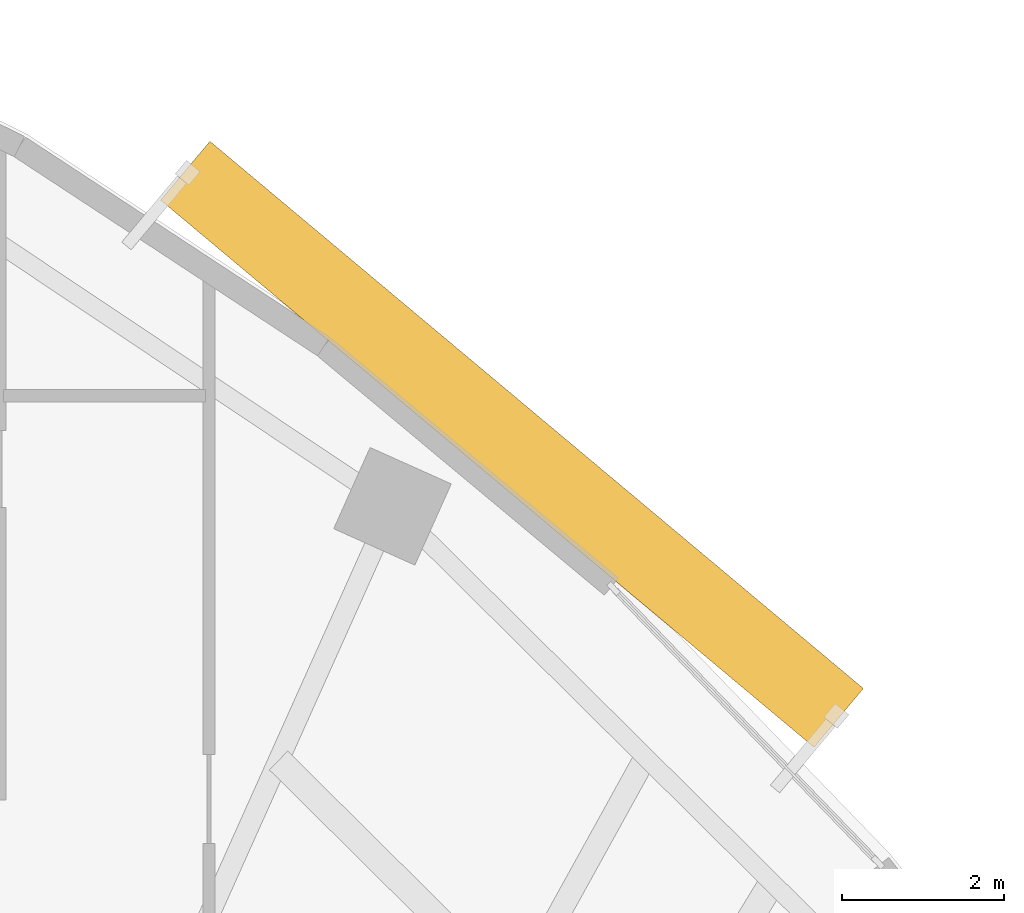
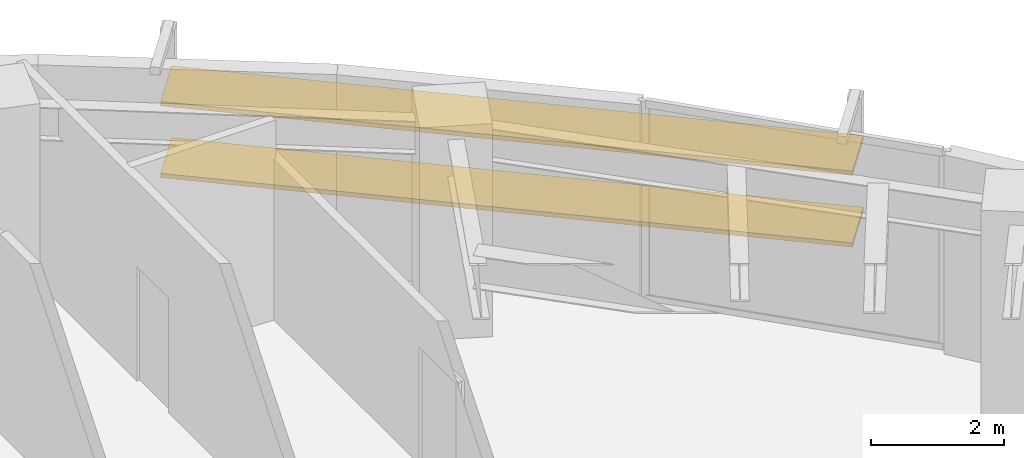
# One storey, part 13 of 13: 2 shading devices.
"""IFC4 building model written with IfcOpenShell, lengths in metres."""

from ifc_helpers import new_model, si_unit, direction, frame, origin, origin_2d, place, context, subcontext, project, spatial, rectangle, extrude, source, transform, mapped, material, material_profile, profile_set, type_object, element, save


model = new_model("IFC4")

# Units and contexts
model_context = context("Model", 3, precision=1e-05, world=origin(), true_north=direction((0.0, 1.0)))
body_context = subcontext(model_context, "Body", "Model", "MODEL_VIEW")
ifc_project = project(units=[si_unit("LENGTHUNIT", "METRE"), si_unit("AREAUNIT", "SQUARE_METRE"), si_unit("VOLUMEUNIT", "CUBIC_METRE"), si_unit("PLANEANGLEUNIT", "RADIAN"), si_unit("MASSUNIT", "GRAM", prefix="KILO")], contexts=[model_context])

# Site, building, storey
site_placement = place(None, origin())
site = spatial("IfcSite", under=ifc_project, at=site_placement, CompositionType="ELEMENT")
building_placement = place(site_placement, origin())
building = spatial("IfcBuilding", under=site, at=building_placement, Name="Breltana Convention Tower", CompositionType="ELEMENT")
storey_placement = place(building_placement, frame((0.0, 0.0, 142.800048828125)))
storey = spatial("IfcBuildingStorey", under=building, at=storey_placement, Name="L34", CompositionType="ELEMENT", Elevation=142.800048828125)

# Shading devices
ifc_material = material(Name="Limestone Warm Buff Honed", Category="masonry")
ifc_material_profile = material_profile(ifc_material, rectangle(XDim=0.949951171875, YDim=0.080078125, at=origin_2d()), Name="STN-LVR-950X80")
ifc_profile_set = profile_set([ifc_material_profile], Name="Limestone Warm Buff Honed")
shading_device_type = type_object("IfcShadingDeviceType", Name="SHD-OUTER-SKIN-LIMESTONE-950", PredefinedType="JALOUSIE", material=ifc_profile_set)
shared_shape = source(origin(), body_context, "Body", "SweptSolid", [
    extrude(rectangle(XDim=0.949951171875, YDim=0.080078125, at=origin_2d()), origin(), (0.0, 0.0, 1.0), 10.538330078125),
])
for number, where, z_axis, x_axis, name in (
    (1, (66.34814453125, 72.782958984375, 1.31396484375), (0.766705694316, -0.641998736996, 0.0), (0.641998736996, 0.766705694316, 0.0), "L34 outer skin warm limestone louvre 2.1"),
    (2, (66.34814453125, 72.782958984375, 2.6279296875), (0.766705694316, -0.641998736996, 0.0), (0.641998736996, 0.766705694316, 0.0), "L34 outer skin warm limestone louvre 2.2"),
):
    element("IfcShadingDevice", number, at=place(storey_placement, frame(where, z_axis=z_axis, x_axis=x_axis)), inside=storey, type_object=shading_device_type, Name=name, PredefinedType="JALOUSIE", context=body_context, shape_type="MappedRepresentation", body=[
        mapped(shared_shape, transform((0.0, 0.0, 0.0), scale=1.0)),
    ])

save(model, "model.ifc")
